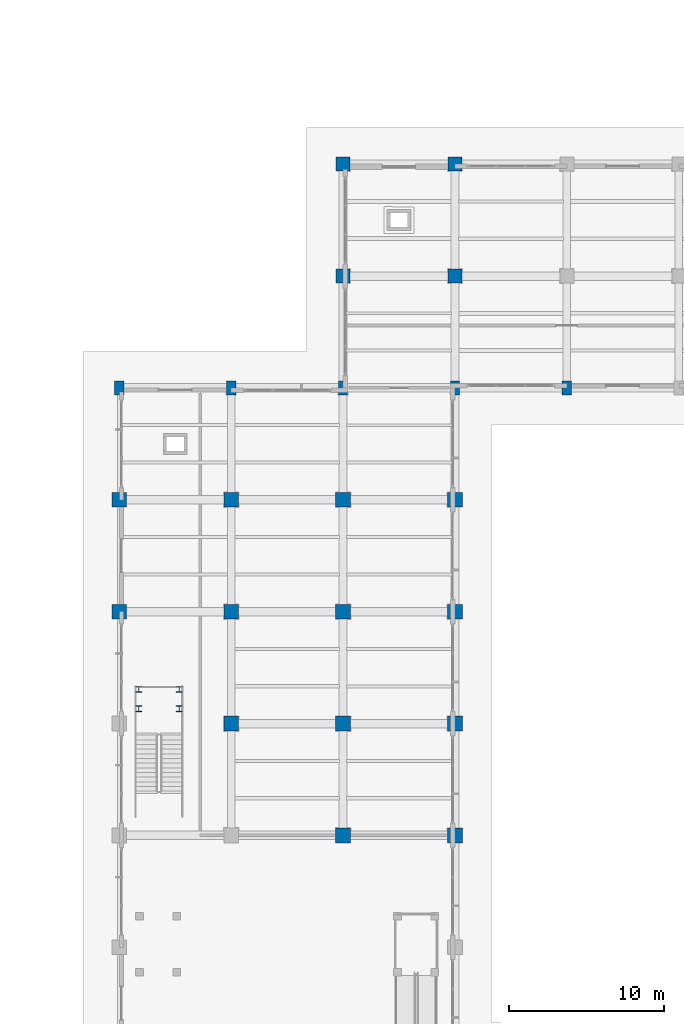
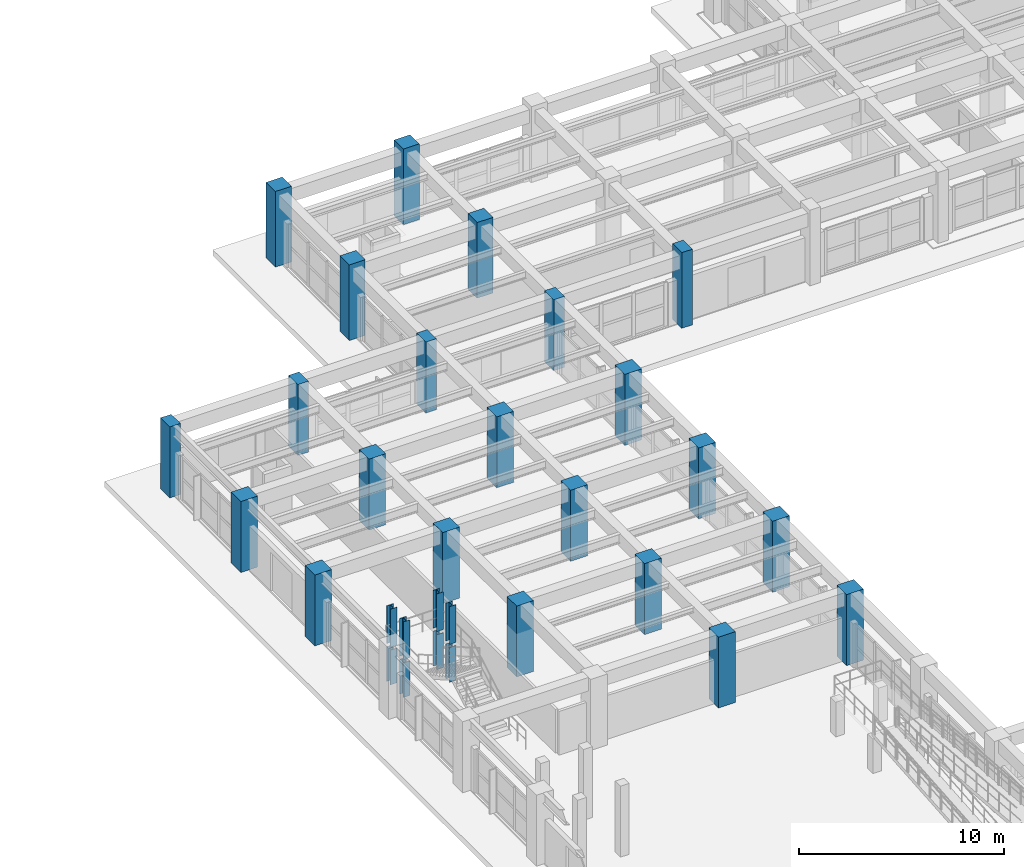
# One storey, part 4 of 64: 30 columns.
"""IFC4 building model written with IfcOpenShell, lengths in metres."""

from ifc_helpers import new_model, si_unit, direction, frame, origin, origin_2d, place, context, subcontext, project, spatial, rectangle, i_section, extrude, material, material_profile, profile_set, type_object, element, save


model = new_model("IFC4")

# Units and contexts
model_context = context("Model", 3, precision=1e-05, world=origin(), true_north=direction((0.0, 1.0)))
body_context = subcontext(model_context, "Body", "Model", "MODEL_VIEW")
ifc_project = project(units=[si_unit("LENGTHUNIT", "METRE"), si_unit("AREAUNIT", "SQUARE_METRE"), si_unit("VOLUMEUNIT", "CUBIC_METRE"), si_unit("PLANEANGLEUNIT", "RADIAN"), si_unit("MASSUNIT", "GRAM", prefix="KILO")], contexts=[model_context])

# Site, building, storey
site_placement = place(None, origin())
site = spatial("IfcSite", under=ifc_project, at=site_placement, CompositionType="ELEMENT")
building_placement = place(site_placement, origin())
building = spatial("IfcBuilding", under=site, at=building_placement, Name="Solenvale Faculty of Natural Sciences", CompositionType="ELEMENT")
storey_placement = place(building_placement, origin())
storey = spatial("IfcBuildingStorey", under=building, at=storey_placement, Name="L00", CompositionType="ELEMENT", Elevation=0.0)

# Columns
ifc_material_1 = material(Name="Concrete 50 MPa", Category="concrete")
ifc_material_profile_1 = material_profile(ifc_material_1, rectangle(XDim=0.60009765625, YDim=0.89990234375, at=origin_2d()), Name="RC-COL-600x900")
ifc_profile_set_1 = profile_set([ifc_material_profile_1], Name="Concrete 50 MPa")
column_type_1 = type_object("IfcColumnType", Name="COL-RC-600x900", PredefinedType="COLUMN", material=ifc_profile_set_1)
for number, where, z_axis, x_axis, name in (
    (1, (36.0, 93.60009765625, 0.0), (0.0, 0.0, 1.0), (1.0, 0.0, 0.0), "L00 Column (36.0, 93.6)"),
    (2, (43.199951171875, 93.60009765625, 0.0), (0.0, 0.0, 1.0), (1.0, 0.0, 0.0), "L00 Column (43.2, 93.6)"),
    (3, (50.39990234375, 93.60009765625, 0.0), (0.0, 0.0, 1.0), (1.0, 0.0, 0.0), "L00 Column (50.4, 93.6)"),
    (4, (57.60009765625, 93.60009765625, 0.0), (0.0, 0.0, 1.0), (1.0, 0.0, 0.0), "L00 Column (57.6, 93.6)"),
):
    element("IfcColumn", number, at=place(storey_placement, frame(where, z_axis=z_axis, x_axis=x_axis)), inside=storey, type_object=column_type_1, Name=name, PredefinedType="COLUMN", context=body_context, shape_type="SweptSolid", body=[
        extrude(rectangle(XDim=0.60009765625, YDim=0.89990234375, at=origin_2d()), origin(), (0.0, 0.0, 1.0), 4.219970703125),
    ])
column_1_placement = place(storey_placement, frame((64.800048828125, 93.60009765625, 0.0), z_axis=(0.0, 0.0, 1.0), x_axis=(1.0, 0.0, 0.0)))
element("IfcColumn", 5, at=column_1_placement, inside=storey, type_object=column_type_1, Name="L00 Column (64.8, 93.6)", PredefinedType="COLUMN", context=body_context, shape_type="SweptSolid", body=[
    extrude(rectangle(XDim=0.60009765625, YDim=0.89990234375, at=origin_2d()), origin(), (0.0, 0.0, 1.0), 4.5),
])
ifc_material_profile_2 = material_profile(ifc_material_1, rectangle(XDim=0.89990234375, YDim=0.89990234375, at=origin_2d()), Name="RC-COL-900x900")
ifc_profile_set_2 = profile_set([ifc_material_profile_2], Name="Concrete 50 MPa")
column_type_2 = type_object("IfcColumnType", Name="COL-RC-900", PredefinedType="COLUMN", material=ifc_profile_set_2)
for number, where, z_axis, x_axis, name in (
    (6, (50.39990234375, 100.800048828125, 0.0), (0.0, 0.0, 1.0), (1.0, 0.0, 0.0), "L00 Column (50.4, 100.8)"),
    (7, (50.39990234375, 108.0, 0.0), (0.0, 0.0, 1.0), (1.0, 0.0, 0.0), "L00 Column (50.4, 108.0)"),
    (8, (57.60009765625, 100.800048828125, 0.0), (0.0, 0.0, 1.0), (1.0, 0.0, 0.0), "L00 Column (57.6, 100.8)"),
    (9, (57.60009765625, 108.0, 0.0), (0.0, 0.0, 1.0), (1.0, 0.0, 0.0), "L00 Column (57.6, 108.0)"),
):
    element("IfcColumn", number, at=place(storey_placement, frame(where, z_axis=z_axis, x_axis=x_axis)), inside=storey, type_object=column_type_2, Name=name, PredefinedType="COLUMN", context=body_context, shape_type="SweptSolid", body=[
        extrude(rectangle(XDim=0.89990234375, YDim=0.89990234375, at=origin_2d()), origin(), (0.0, 0.0, 1.0), 4.5),
    ])
ifc_material_profile_3 = material_profile(ifc_material_1, rectangle(XDim=0.949951171875, YDim=0.949951171875, at=origin_2d()), Name="RC-COL-950x950")
ifc_profile_set_3 = profile_set([ifc_material_profile_3], Name="Concrete 50 MPa")
column_type_3 = type_object("IfcColumnType", Name="COL-RC-950", PredefinedType="COLUMN", material=ifc_profile_set_3)
for number, where, z_axis, x_axis, name in (
    (10, (36.0, 79.199951171875, 0.0), (0.0, 0.0, 1.0), (1.0, 0.0, 0.0), "L00 Column (36.0, 79.2)"),
    (11, (36.0, 86.39990234375, 0.0), (0.0, 0.0, 1.0), (1.0, 0.0, 0.0), "L00 Column (36.0, 86.4)"),
    (12, (43.199951171875, 72.0, 0.0), (0.0, 0.0, 1.0), (1.0, 0.0, 0.0), "L00 Column (43.2, 72.0)"),
    (13, (43.199951171875, 79.199951171875, 0.0), (0.0, 0.0, 1.0), (1.0, 0.0, 0.0), "L00 Column (43.2, 79.2)"),
    (14, (43.199951171875, 86.39990234375, 0.0), (0.0, 0.0, 1.0), (1.0, 0.0, 0.0), "L00 Column (43.2, 86.4)"),
    (15, (50.39990234375, 64.800048828125, 0.0), (0.0, 0.0, 1.0), (1.0, 0.0, 0.0), "L00 Column (50.4, 64.8)"),
    (16, (50.39990234375, 72.0, 0.0), (0.0, 0.0, 1.0), (1.0, 0.0, 0.0), "L00 Column (50.4, 72.0)"),
    (17, (50.39990234375, 79.199951171875, 0.0), (0.0, 0.0, 1.0), (1.0, 0.0, 0.0), "L00 Column (50.4, 79.2)"),
    (18, (50.39990234375, 86.39990234375, 0.0), (0.0, 0.0, 1.0), (1.0, 0.0, 0.0), "L00 Column (50.4, 86.4)"),
    (19, (57.60009765625, 64.800048828125, 0.0), (0.0, 0.0, 1.0), (1.0, 0.0, 0.0), "L00 Column (57.6, 64.8)"),
    (20, (57.60009765625, 72.0, 0.0), (0.0, 0.0, 1.0), (1.0, 0.0, 0.0), "L00 Column (57.6, 72.0)"),
    (21, (57.60009765625, 79.199951171875, 0.0), (0.0, 0.0, 1.0), (1.0, 0.0, 0.0), "L00 Column (57.6, 79.2)"),
    (22, (57.60009765625, 86.39990234375, 0.0), (0.0, 0.0, 1.0), (1.0, 0.0, 0.0), "L00 Column (57.6, 86.4)"),
):
    element("IfcColumn", number, at=place(storey_placement, frame(where, z_axis=z_axis, x_axis=x_axis)), inside=storey, type_object=column_type_3, Name=name, PredefinedType="COLUMN", context=body_context, shape_type="SweptSolid", body=[
        extrude(rectangle(XDim=0.949951171875, YDim=0.949951171875, at=origin_2d()), origin(), (0.0, 0.0, 1.0), 4.219970703125),
    ])
ifc_material_2 = material(Name="Steel S355", Category="steel")
ifc_material_profile_4 = material_profile(ifc_material_2, i_section(OverallWidth=0.37109375, OverallDepth=0.364013671875, WebThickness=0.01318359375, FlangeThickness=0.021728515625, FilletRadius=0.02197265625, at=origin_2d()), Name="W360x162")
ifc_profile_set_4 = profile_set([ifc_material_profile_4], Name="Steel S355")
column_type_4 = type_object("IfcColumnType", Name="COL-STL-W360x162", PredefinedType="COLUMN", material=ifc_profile_set_4)
column_2_placement = place(storey_placement, frame((37.25, 72.949951171875, 0.0), z_axis=(0.0, 0.0, 1.0), x_axis=(1.0, 0.0, 0.0)))
element("IfcColumn", 23, at=column_2_placement, inside=storey, type_object=column_type_4, Name="ST-06 L00 Lower Post", PredefinedType="COLUMN", context=body_context, shape_type="SweptSolid", body=[
    extrude(i_section(OverallWidth=0.37109375, OverallDepth=0.364013671875, WebThickness=0.01318359375, FlangeThickness=0.021728515625, FilletRadius=0.02197265625, at=origin_2d()), origin(), (0.0, 0.0, 1.0), 2.070068359375),
])
column_3_placement = place(storey_placement, frame((37.25, 72.949951171875, 2.25), z_axis=(0.0, 0.0, 1.0), x_axis=(1.0, 0.0, 0.0)))
element("IfcColumn", 24, at=column_3_placement, inside=storey, type_object=column_type_4, Name="ST-06 L00 Upper Post", PredefinedType="COLUMN", context=body_context, shape_type="SweptSolid", body=[
    extrude(i_section(OverallWidth=0.37109375, OverallDepth=0.364013671875, WebThickness=0.01318359375, FlangeThickness=0.021728515625, FilletRadius=0.02197265625, at=origin_2d()), origin(), (0.0, 0.0, 1.0), 2.25),
])
column_4_placement = place(storey_placement, frame((37.25, 74.199951171875, 0.0), z_axis=(0.0, 0.0, 1.0), x_axis=(1.0, 0.0, 0.0)))
element("IfcColumn", 25, at=column_4_placement, inside=storey, type_object=column_type_4, Name="ST-06 L00 Lower Post", PredefinedType="COLUMN", context=body_context, shape_type="SweptSolid", body=[
    extrude(i_section(OverallWidth=0.37109375, OverallDepth=0.364013671875, WebThickness=0.01318359375, FlangeThickness=0.021728515625, FilletRadius=0.02197265625, at=origin_2d()), origin(), (0.0, 0.0, 1.0), 2.070068359375),
])
column_5_placement = place(storey_placement, frame((37.25, 74.199951171875, 2.25), z_axis=(0.0, 0.0, 1.0), x_axis=(1.0, 0.0, 0.0)))
element("IfcColumn", 26, at=column_5_placement, inside=storey, type_object=column_type_4, Name="ST-06 L00 Upper Post", PredefinedType="COLUMN", context=body_context, shape_type="SweptSolid", body=[
    extrude(i_section(OverallWidth=0.37109375, OverallDepth=0.364013671875, WebThickness=0.01318359375, FlangeThickness=0.021728515625, FilletRadius=0.02197265625, at=origin_2d()), origin(), (0.0, 0.0, 1.0), 2.25),
])
column_6_placement = place(storey_placement, frame((39.85009765625, 72.949951171875, 0.0), z_axis=(0.0, 0.0, 1.0), x_axis=(1.0, 0.0, 0.0)))
element("IfcColumn", 27, at=column_6_placement, inside=storey, type_object=column_type_4, Name="ST-06 L00 Lower Post", PredefinedType="COLUMN", context=body_context, shape_type="SweptSolid", body=[
    extrude(i_section(OverallWidth=0.37109375, OverallDepth=0.364013671875, WebThickness=0.01318359375, FlangeThickness=0.021728515625, FilletRadius=0.02197265625, at=origin_2d()), origin(), (0.0, 0.0, 1.0), 2.070068359375),
])
column_7_placement = place(storey_placement, frame((39.85009765625, 72.949951171875, 2.25), z_axis=(0.0, 0.0, 1.0), x_axis=(1.0, 0.0, 0.0)))
element("IfcColumn", 28, at=column_7_placement, inside=storey, type_object=column_type_4, Name="ST-06 L00 Upper Post", PredefinedType="COLUMN", context=body_context, shape_type="SweptSolid", body=[
    extrude(i_section(OverallWidth=0.37109375, OverallDepth=0.364013671875, WebThickness=0.01318359375, FlangeThickness=0.021728515625, FilletRadius=0.02197265625, at=origin_2d()), origin(), (0.0, 0.0, 1.0), 2.25),
])
column_8_placement = place(storey_placement, frame((39.85009765625, 74.199951171875, 0.0), z_axis=(0.0, 0.0, 1.0), x_axis=(1.0, 0.0, 0.0)))
element("IfcColumn", 29, at=column_8_placement, inside=storey, type_object=column_type_4, Name="ST-06 L00 Lower Post", PredefinedType="COLUMN", context=body_context, shape_type="SweptSolid", body=[
    extrude(i_section(OverallWidth=0.37109375, OverallDepth=0.364013671875, WebThickness=0.01318359375, FlangeThickness=0.021728515625, FilletRadius=0.02197265625, at=origin_2d()), origin(), (0.0, 0.0, 1.0), 2.070068359375),
])
column_9_placement = place(storey_placement, frame((39.85009765625, 74.199951171875, 2.25), z_axis=(0.0, 0.0, 1.0), x_axis=(1.0, 0.0, 0.0)))
element("IfcColumn", 30, at=column_9_placement, inside=storey, type_object=column_type_4, Name="ST-06 L00 Upper Post", PredefinedType="COLUMN", context=body_context, shape_type="SweptSolid", body=[
    extrude(i_section(OverallWidth=0.37109375, OverallDepth=0.364013671875, WebThickness=0.01318359375, FlangeThickness=0.021728515625, FilletRadius=0.02197265625, at=origin_2d()), origin(), (0.0, 0.0, 1.0), 2.25),
])

save(model, "model.ifc")
